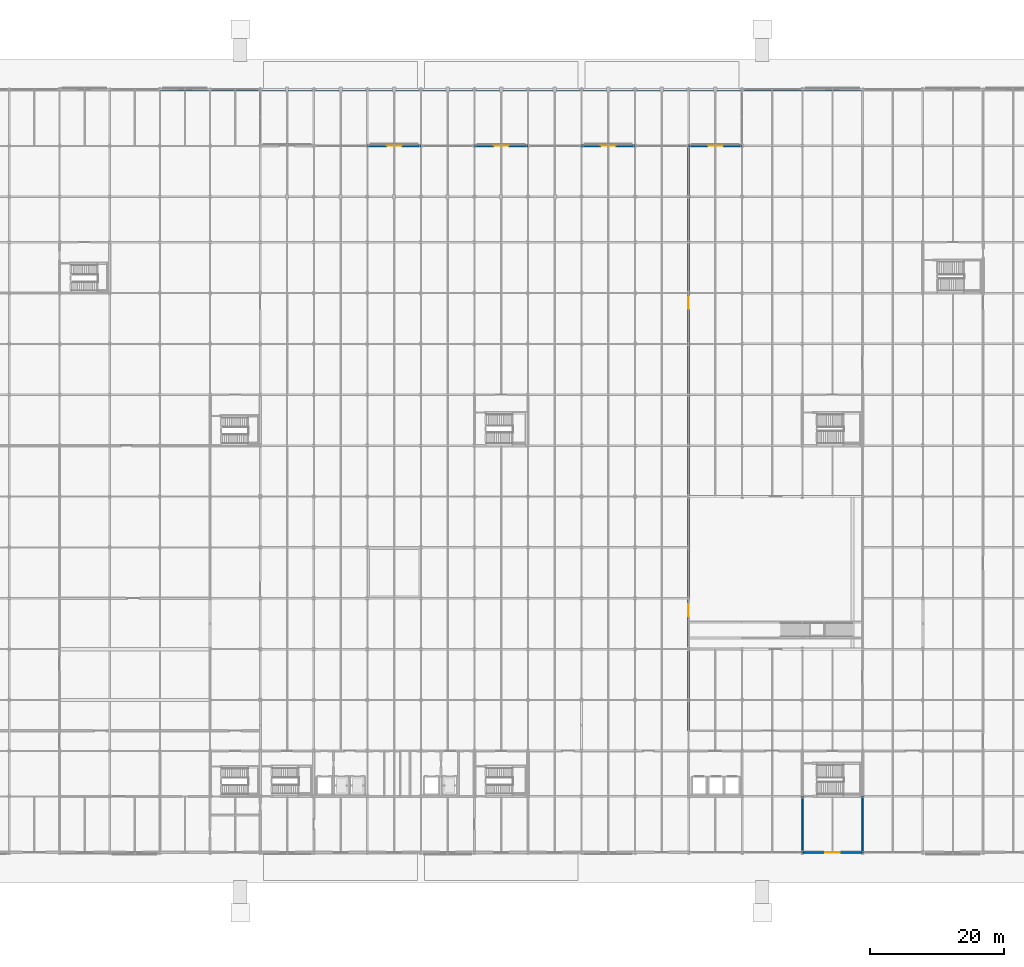
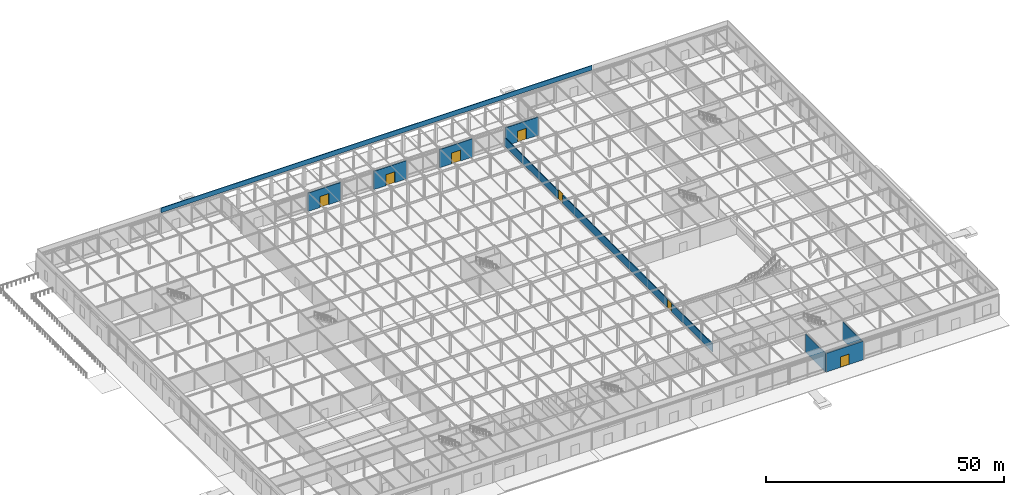
# One storey, part 68 of 89: 9 walls, 7 doors, 7 openings.
"""IFC4 building model written with IfcOpenShell, lengths in metres."""

from ifc_helpers import new_model, si_unit, direction, frame, frame_2d, origin, place, context, subcontext, project, spatial, rectangle, extrude, material, layer, layer_set, type_object, element, fill, save


model = new_model("IFC4")

# Units and contexts
model_context = context("Model", 3, precision=1e-05, world=origin(), true_north=direction((0.0, 1.0)))
body_context = subcontext(model_context, "Body", "Model", "MODEL_VIEW")
ifc_project = project(units=[si_unit("LENGTHUNIT", "METRE"), si_unit("AREAUNIT", "SQUARE_METRE"), si_unit("VOLUMEUNIT", "CUBIC_METRE"), si_unit("PLANEANGLEUNIT", "RADIAN"), si_unit("MASSUNIT", "GRAM", prefix="KILO")], contexts=[model_context])

# Site, building, storey
site_placement = place(None, origin())
site = spatial("IfcSite", under=ifc_project, at=site_placement, CompositionType="ELEMENT")
building_placement = place(site_placement, origin())
building = spatial("IfcBuilding", under=site, at=building_placement, Name="Shalkamar Park Central Library", CompositionType="ELEMENT")
storey_placement = place(building_placement, origin())
storey = spatial("IfcBuildingStorey", under=building, at=storey_placement, Name="L01", CompositionType="ELEMENT", Elevation=0.0)

# Walls
ifc_material_1 = material(Name="Reinforced fire-compartment masonry wall", Category="masonry")
ifc_layer_1 = layer(ifc_material_1, 0.239990234375)
ifc_layer_set_1 = layer_set([ifc_layer_1], Name="CompartmentWall_240")
wall_type_1 = type_object("IfcWallType", Name="Compartment Wall 240", PredefinedType="PARTITIONING", material=ifc_layer_set_1)
for number, where, z_axis, x_axis, name in (
    (1, (246.0, 240.0, 0.0), (0.0, 0.0, 1.0), (0.0, 1.0, 0.0), "Interior Partition WL-INT-L01-031"),
    (2, (255.0, 240.0, 0.0), (0.0, 0.0, 1.0), (0.0, 1.0, 0.0), "Interior Partition WL-INT-L01-032"),
):
    element("IfcWall", number, at=place(storey_placement, frame(where, z_axis=z_axis, x_axis=x_axis)), inside=storey, type_object=wall_type_1, Name=name, PredefinedType="PARTITIONING", context=body_context, shape_type="SweptSolid", body=[
        extrude(rectangle(XDim=8.39990234375, YDim=0.239990234375, at=frame_2d((4.199951171875, 0.0))), origin(), (0.0, 0.0, 1.0), 4.68798828125),
    ])

# Wall, openings, doors
ifc_material_2 = material(Name="Fire-rated corridor partition wall", Category="masonry")
ifc_layer_2 = layer(ifc_material_2, 0.199951171875)
ifc_layer_set_2 = layer_set([ifc_layer_2], Name="CorridorFireWall_200")
wall_type_2 = type_object("IfcWallType", Name="Corridor Fire Wall 200", PredefinedType="PARTITIONING", material=ifc_layer_set_2)
wall_1_placement = place(storey_placement, frame((229.0, 258.199951171875, 0.0), z_axis=(0.0, 0.0, 1.0), x_axis=(0.0, 1.0, 0.0)))
wall_1 = element("IfcWall", 3, at=wall_1_placement, inside=storey, type_object=wall_type_2, Name="Interior Partition WL-INT-L01-045", PredefinedType="PARTITIONING", context=body_context, shape_type="SweptSolid", body=[
    extrude(rectangle(XDim=87.400146484375, YDim=0.199951171875, at=frame_2d((43.7001953125, 0.0))), origin(), (0.0, 0.0, 1.0), 2.117919921875),
])
opening_1_placement = place(wall_1_placement, frame((17.10009765625, 0.0, 0.0)))
opening_1 = element("IfcOpeningElement", 4, at=opening_1_placement, cuts=wall_1, Name="Opening DR-L01-036", PredefinedType="OPENING", context=body_context, shape_type="SweptSolid", body=[
    extrude(rectangle(XDim=1.800048828125, YDim=2.10009765625, at=frame_2d((0.89990234375, 1.050048828125))), frame((0.0, 0.11474609375, 0.0), z_axis=(0.0, -1.0, 0.0), x_axis=(1.0, 0.0, 0.0)), (0.0, 0.0, 1.0), 0.229736328125),
])
opening_2_placement = place(wall_1_placement, frame((63.06005859375, 0.0, 0.0)))
opening_2 = element("IfcOpeningElement", 5, at=opening_2_placement, cuts=wall_1, Name="Opening DR-L01-037", PredefinedType="OPENING", context=body_context, shape_type="SweptSolid", body=[
    extrude(rectangle(XDim=1.800048828125, YDim=2.39990234375, at=frame_2d((0.89990234375, 1.199951171875))), frame((0.0, 0.11474609375, 0.0), z_axis=(0.0, -1.0, 0.0), x_axis=(1.0, 0.0, 0.0)), (0.0, 0.0, 1.0), 0.229736328125),
])
ifc_material_3 = material(Name="Steel S355", Category="steel")
door_type_1 = type_object("IfcDoorType", Name="Interior Door Double 1800x2100", OperationType="DOUBLE_DOOR_SINGLE_SWING", PredefinedType="DOOR", material=ifc_material_3)
door_1_placement = place(opening_1_placement, frame((1.800048828125, 0.0, 0.0), z_axis=(0.0, 0.0, 1.0), x_axis=(-1.0, 0.0, 0.0)))
door_1 = element("IfcDoor", 6, at=door_1_placement, inside=storey, type_object=door_type_1, Name="Atrium Foyer Grand Portal", OperationType="DOUBLE_DOOR_SINGLE_SWING", OverallHeight=2.10009765625, OverallWidth=1.800048828125, PredefinedType="DOOR", context=body_context, shape_type="SweptSolid", body=[
    extrude(rectangle(XDim=1.800048828125, YDim=2.10009765625, at=frame_2d((0.89990234375, 1.050048828125))), frame((0.0, 0.02490234375, 0.0), z_axis=(0.0, -1.0, 0.0), x_axis=(1.0, 0.0, 0.0)), (0.0, 0.0, 1.0), 0.050048828125),
])
fill(opening_1, door_1)
door_type_2 = type_object("IfcDoorType", Name="Interior Door Double 1800x2400", OperationType="DOUBLE_DOOR_SINGLE_SWING", PredefinedType="DOOR", material=ifc_material_3)
door_2_placement = place(opening_2_placement, frame((1.800048828125, 0.0, 0.0), z_axis=(0.0, 0.0, 1.0), x_axis=(-1.0, 0.0, 0.0)))
door_2 = element("IfcDoor", 7, at=door_2_placement, inside=storey, type_object=door_type_2, Name="North Open Lending Stacks Portal", OperationType="DOUBLE_DOOR_SINGLE_SWING", OverallHeight=2.39990234375, OverallWidth=1.800048828125, PredefinedType="DOOR", context=body_context, shape_type="SweptSolid", body=[
    extrude(rectangle(XDim=1.800048828125, YDim=2.39990234375, at=frame_2d((0.89990234375, 1.199951171875))), frame((0.0, 0.02490234375, 0.0), z_axis=(0.0, -1.0, 0.0), x_axis=(1.0, 0.0, 0.0)), (0.0, 0.0, 1.0), 0.050048828125),
])
fill(opening_2, door_2)

# Wall, opening, door
ifc_material_4 = material(Name="Concrete C35/45 precast", Category="concrete")
ifc_layer_3 = layer(ifc_material_4, 0.320068359375)
ifc_layer_set_3 = layer_set([ifc_layer_3], Name="Concrete C35/45 precast")
wall_type_3 = type_object("IfcWallType", Name="Granite Plinth External Wall 320", PredefinedType="SOLIDWALL", material=ifc_layer_set_3)
wall_2_placement = place(storey_placement, frame((246.006103515625, 240.0, 0.0), z_axis=(0.0, 0.0, 1.0), x_axis=(1.0, 0.0, 0.0)))
wall_2 = element("IfcWall", 8, at=wall_2_placement, inside=storey, type_object=wall_type_3, Name="Exterior Facade Wall WL-EXT-L01-015", PredefinedType="SOLIDWALL", context=body_context, shape_type="SweptSolid", body=[
    extrude(rectangle(XDim=8.98779296875, YDim=0.320068359375, at=frame_2d((4.493896484375, 0.0))), origin(), (0.0, 0.0, 1.0), 4.798095703125),
])
opening_3_placement = place(wall_2_placement, frame((3.444091796875, 0.0, 0.0)))
opening_3 = element("IfcOpeningElement", 9, at=opening_3_placement, cuts=wall_2, Name="Opening ED-L01-011", PredefinedType="OPENING", context=body_context, shape_type="SweptSolid", body=[
    extrude(rectangle(XDim=2.10009765625, YDim=2.699951171875, at=frame_2d((1.050048828125, 1.35009765625))), frame((0.0, 0.1748046875, 0.0), z_axis=(0.0, -1.0, 0.0), x_axis=(1.0, 0.0, 0.0)), (0.0, 0.0, 1.0), 0.349853515625),
])
ifc_material_5 = material(Name="Thermally broken insulated aluminium and glazed door", Category="aluminium")
door_type_3 = type_object("IfcDoorType", Name="Boulevard Entrance Door 2100x2700", OperationType="DOUBLE_DOOR_SINGLE_SWING", PredefinedType="DOOR", material=ifc_material_5)
door_3_placement = place(opening_3_placement, frame((2.10009765625, 0.0, 0.0), z_axis=(0.0, 0.0, 1.0), x_axis=(-1.0, 0.0, 0.0)))
door_3 = element("IfcDoor", 10, at=door_3_placement, inside=storey, type_object=door_type_3, Name="South Boulevard Entrance Portal 17", OperationType="DOUBLE_DOOR_SINGLE_SWING", OverallHeight=2.699951171875, OverallWidth=2.10009765625, PredefinedType="DOOR", context=body_context, shape_type="SweptSolid", body=[
    extrude(rectangle(XDim=2.10009765625, YDim=2.699951171875, at=frame_2d((1.050048828125, 1.35009765625))), frame((0.0, 0.02490234375, 0.0), z_axis=(0.0, -1.0, 0.0), x_axis=(1.0, 0.0, 0.0)), (0.0, 0.0, 1.0), 0.050048828125),
])
fill(opening_3, door_3)

wall_3_placement = place(storey_placement, frame((181.006103515625, 345.60009765625, 0.0), z_axis=(0.0, 0.0, 1.0), x_axis=(1.0, 0.0, 0.0)))
wall_3 = element("IfcWall", 11, at=wall_3_placement, inside=storey, type_object=wall_type_3, Name="Exterior Facade Wall WL-EXT-L01-022", PredefinedType="SOLIDWALL", context=body_context, shape_type="SweptSolid", body=[
    extrude(rectangle(XDim=7.98779296875, YDim=0.320068359375, at=frame_2d((3.993896484375, 0.0))), origin(), (0.0, 0.0, 1.0), 4.68798828125),
])
opening_4_placement = place(wall_3_placement, frame((2.89404296875, 0.0, 0.0)))
opening_4 = element("IfcOpeningElement", 12, at=opening_4_placement, cuts=wall_3, Name="Opening ED-L01-017", PredefinedType="OPENING", context=body_context, shape_type="SweptSolid", body=[
    extrude(rectangle(XDim=2.199951171875, YDim=2.800048828125, at=frame_2d((1.10009765625, 1.39990234375))), frame((0.0, 0.1748046875, 0.0), z_axis=(0.0, -1.0, 0.0), x_axis=(1.0, 0.0, 0.0)), (0.0, 0.0, 1.0), 0.349853515625),
])
door_type_4 = type_object("IfcDoorType", Name="Park Proscenium Portal 2200x2800", OperationType="DOUBLE_DOOR_SINGLE_SWING", PredefinedType="DOOR", material=ifc_material_5)
door_4_placement = place(opening_4_placement, origin())
door_4 = element("IfcDoor", 13, at=door_4_placement, inside=storey, type_object=door_type_4, Name="Park Proscenium Entrance Portal 09", OperationType="DOUBLE_DOOR_SINGLE_SWING", OverallHeight=2.800048828125, OverallWidth=2.199951171875, PredefinedType="DOOR", context=body_context, shape_type="SweptSolid", body=[
    extrude(rectangle(XDim=2.199951171875, YDim=2.800048828125, at=frame_2d((1.10009765625, 1.39990234375))), frame((0.0, 0.02490234375, 0.0), z_axis=(0.0, -1.0, 0.0), x_axis=(1.0, 0.0, 0.0)), (0.0, 0.0, 1.0), 0.050048828125),
])
fill(opening_4, door_4)

wall_4_placement = place(storey_placement, frame((197.006103515625, 345.60009765625, 0.0), z_axis=(0.0, 0.0, 1.0), x_axis=(1.0, 0.0, 0.0)))
wall_4 = element("IfcWall", 14, at=wall_4_placement, inside=storey, type_object=wall_type_3, Name="Exterior Facade Wall WL-EXT-L01-023", PredefinedType="SOLIDWALL", context=body_context, shape_type="SweptSolid", body=[
    extrude(rectangle(XDim=7.98779296875, YDim=0.320068359375, at=frame_2d((3.993896484375, 0.0))), origin(), (0.0, 0.0, 1.0), 4.68798828125),
])
opening_5_placement = place(wall_4_placement, frame((2.89404296875, 0.0, 0.0)))
opening_5 = element("IfcOpeningElement", 15, at=opening_5_placement, cuts=wall_4, Name="Opening ED-L01-018", PredefinedType="OPENING", context=body_context, shape_type="SweptSolid", body=[
    extrude(rectangle(XDim=2.199951171875, YDim=2.800048828125, at=frame_2d((1.10009765625, 1.39990234375))), frame((0.0, 0.1748046875, 0.0), z_axis=(0.0, -1.0, 0.0), x_axis=(1.0, 0.0, 0.0)), (0.0, 0.0, 1.0), 0.349853515625),
])
door_5_placement = place(opening_5_placement, origin())
door_5 = element("IfcDoor", 16, at=door_5_placement, inside=storey, type_object=door_type_4, Name="Park Proscenium Entrance Portal 11", OperationType="DOUBLE_DOOR_SINGLE_SWING", OverallHeight=2.800048828125, OverallWidth=2.199951171875, PredefinedType="DOOR", context=body_context, shape_type="SweptSolid", body=[
    extrude(rectangle(XDim=2.199951171875, YDim=2.800048828125, at=frame_2d((1.10009765625, 1.39990234375))), frame((0.0, 0.02490234375, 0.0), z_axis=(0.0, -1.0, 0.0), x_axis=(1.0, 0.0, 0.0)), (0.0, 0.0, 1.0), 0.050048828125),
])
fill(opening_5, door_5)

wall_5_placement = place(storey_placement, frame((213.006103515625, 345.60009765625, 0.0), z_axis=(0.0, 0.0, 1.0), x_axis=(1.0, 0.0, 0.0)))
wall_5 = element("IfcWall", 17, at=wall_5_placement, inside=storey, type_object=wall_type_3, Name="Exterior Facade Wall WL-EXT-L01-024", PredefinedType="SOLIDWALL", context=body_context, shape_type="SweptSolid", body=[
    extrude(rectangle(XDim=7.98779296875, YDim=0.320068359375, at=frame_2d((3.993896484375, 0.0))), origin(), (0.0, 0.0, 1.0), 4.68798828125),
])
opening_6_placement = place(wall_5_placement, frame((2.89404296875, 0.0, 0.0)))
opening_6 = element("IfcOpeningElement", 18, at=opening_6_placement, cuts=wall_5, Name="Opening ED-L01-019", PredefinedType="OPENING", context=body_context, shape_type="SweptSolid", body=[
    extrude(rectangle(XDim=2.199951171875, YDim=2.800048828125, at=frame_2d((1.10009765625, 1.39990234375))), frame((0.0, 0.1748046875, 0.0), z_axis=(0.0, -1.0, 0.0), x_axis=(1.0, 0.0, 0.0)), (0.0, 0.0, 1.0), 0.349853515625),
])
door_6_placement = place(opening_6_placement, origin())
door_6 = element("IfcDoor", 19, at=door_6_placement, inside=storey, type_object=door_type_4, Name="Park Proscenium Entrance Portal 13", OperationType="DOUBLE_DOOR_SINGLE_SWING", OverallHeight=2.800048828125, OverallWidth=2.199951171875, PredefinedType="DOOR", context=body_context, shape_type="SweptSolid", body=[
    extrude(rectangle(XDim=2.199951171875, YDim=2.800048828125, at=frame_2d((1.10009765625, 1.39990234375))), frame((0.0, 0.02490234375, 0.0), z_axis=(0.0, -1.0, 0.0), x_axis=(1.0, 0.0, 0.0)), (0.0, 0.0, 1.0), 0.050048828125),
])
fill(opening_6, door_6)

wall_6_placement = place(storey_placement, frame((229.006103515625, 345.60009765625, 0.0), z_axis=(0.0, 0.0, 1.0), x_axis=(1.0, 0.0, 0.0)))
wall_6 = element("IfcWall", 20, at=wall_6_placement, inside=storey, type_object=wall_type_3, Name="Exterior Facade Wall WL-EXT-L01-025", PredefinedType="SOLIDWALL", context=body_context, shape_type="SweptSolid", body=[
    extrude(rectangle(XDim=7.98779296875, YDim=0.320068359375, at=frame_2d((3.993896484375, 0.0))), origin(), (0.0, 0.0, 1.0), 4.68798828125),
])
opening_7_placement = place(wall_6_placement, frame((2.89404296875, 0.0, 0.0)))
opening_7 = element("IfcOpeningElement", 21, at=opening_7_placement, cuts=wall_6, Name="Opening ED-L01-020", PredefinedType="OPENING", context=body_context, shape_type="SweptSolid", body=[
    extrude(rectangle(XDim=2.199951171875, YDim=2.800048828125, at=frame_2d((1.10009765625, 1.39990234375))), frame((0.0, 0.1748046875, 0.0), z_axis=(0.0, -1.0, 0.0), x_axis=(1.0, 0.0, 0.0)), (0.0, 0.0, 1.0), 0.349853515625),
])
door_7_placement = place(opening_7_placement, origin())
door_7 = element("IfcDoor", 22, at=door_7_placement, inside=storey, type_object=door_type_4, Name="Park Proscenium Entrance Portal 15", OperationType="DOUBLE_DOOR_SINGLE_SWING", OverallHeight=2.800048828125, OverallWidth=2.199951171875, PredefinedType="DOOR", context=body_context, shape_type="SweptSolid", body=[
    extrude(rectangle(XDim=2.199951171875, YDim=2.800048828125, at=frame_2d((1.10009765625, 1.39990234375))), frame((0.0, 0.02490234375, 0.0), z_axis=(0.0, -1.0, 0.0), x_axis=(1.0, 0.0, 0.0)), (0.0, 0.0, 1.0), 0.050048828125),
])
fill(opening_7, door_7)

# Wall
ifc_layer_4 = layer(ifc_material_4, 0.179931640625)
ifc_layer_set_4 = layer_set([ifc_layer_4], Name="Concrete C35/45 precast")
wall_type_4 = type_object("IfcWallType", Name="Roof Parapet Wall 180", PredefinedType="PARAPET", material=ifc_layer_set_4)
wall_7_placement = place(storey_placement, frame((150.10009765625, 353.89990234375, 5.39990234375), z_axis=(0.0, 0.0, 1.0), x_axis=(1.0, 0.0, 0.0)))
element("IfcWall", 23, at=wall_7_placement, inside=storey, type_object=wall_type_4, Name="Roof Parapet Wall L01-10", PredefinedType="PARAPET", context=body_context, shape_type="SweptSolid", body=[
    extrude(rectangle(XDim=104.7998046875, YDim=0.179931640625, at=frame_2d((52.39990234375, 0.0))), origin(), (0.0, 0.0, 1.0), 1.2001953125),
])

save(model, "model.ifc")
